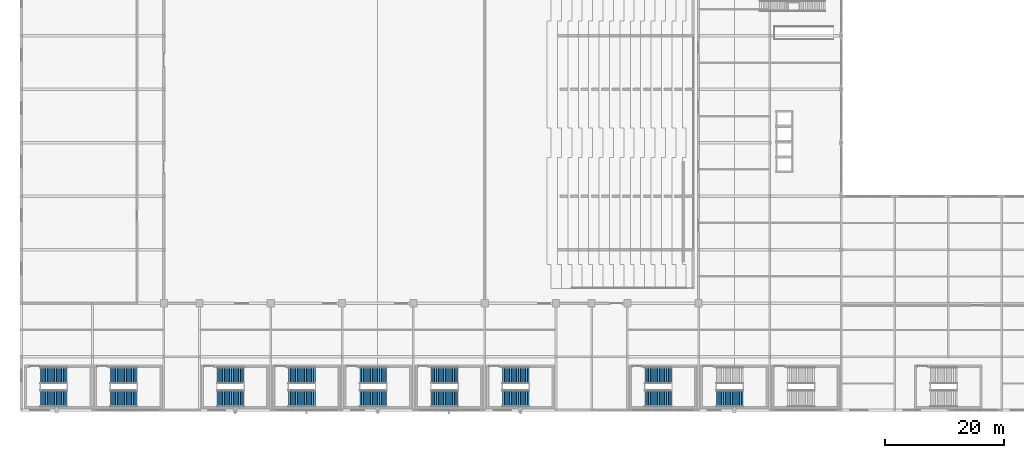
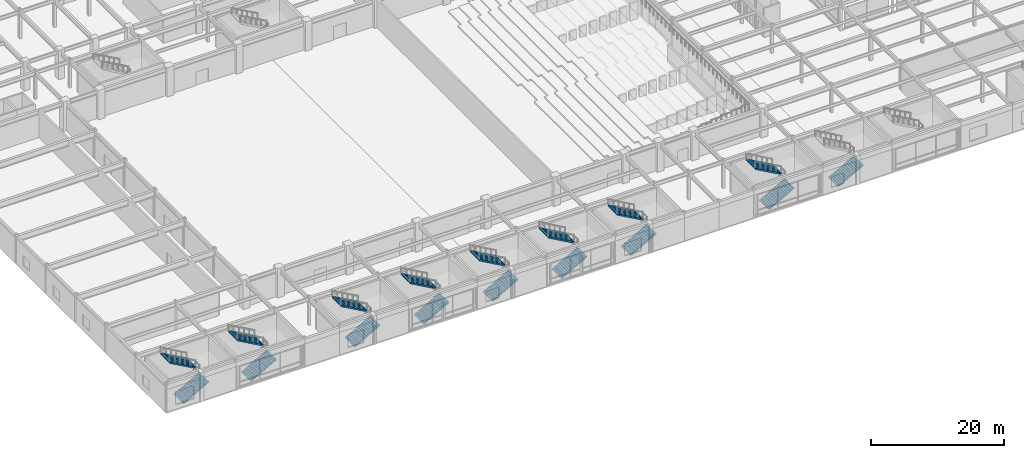
# One storey, part 89 of 100: 17 stair flights, 9 elements without a shape of their own.
"""IFC4 building model written with IfcOpenShell, lengths in metres."""

from ifc_helpers import new_model, si_unit, direction, frame, origin, place, context, subcontext, project, spatial, polyline, outline, extrude, material, type_object, element, aggregate, save


model = new_model("IFC4")

# Units and contexts
model_context = context("Model", 3, precision=1e-05, world=origin(), true_north=direction((0.0, 1.0)))
body_context = subcontext(model_context, "Body", "Model", "MODEL_VIEW")
ifc_project = project(units=[si_unit("LENGTHUNIT", "METRE"), si_unit("AREAUNIT", "SQUARE_METRE"), si_unit("VOLUMEUNIT", "CUBIC_METRE"), si_unit("PLANEANGLEUNIT", "RADIAN"), si_unit("MASSUNIT", "GRAM", prefix="KILO")], contexts=[model_context])

# Site, building, storey
site_placement = place(None, origin())
site = spatial("IfcSite", under=ifc_project, at=site_placement, CompositionType="ELEMENT")
building_placement = place(site_placement, origin())
building = spatial("IfcBuilding", under=site, at=building_placement, Name="Kaldorvane Square Convention Centre", CompositionType="ELEMENT")
storey_placement = place(building_placement, frame((0.0, 0.0, 18.0)))
storey = spatial("IfcBuildingStorey", under=building, at=storey_placement, Name="L03", CompositionType="ELEMENT", Elevation=18.0)

# Stair, stair flights
ifc_material = material(Name="Concrete f'c = 42 MPa (Normalweight)", Category="concrete")
stair_type = type_object("IfcStairType", Name="ST-DL-2800-5400-D6710", PredefinedType="HALF_TURN_STAIR", material=ifc_material)
stair_1_placement = place(storey_placement, origin())
stair_1 = element("IfcStair", 1, at=stair_1_placement, inside=storey, type_object=stair_type, Name="Convention Exit Stair C1 (L03)", PredefinedType="HALF_TURN_STAIR")
stair_flight_type = type_object("IfcStairFlightType", Name="SF-STR-2800-16R", PredefinedType="STRAIGHT", material=ifc_material)
stair_flight_1_placement = place(storey_placement, frame((3.2100067138671875, 1.9499969482421875, 0.0), z_axis=(0.0, 0.0, 1.0), x_axis=(1.0, 0.0, 0.0)))
stair_flight_1 = element("IfcStairFlight", 2, at=stair_flight_1_placement, type_object=stair_flight_type, Name="Convention Exit Stair C1 Flight 1 (L03)", NumberOfRisers=16, NumberOfTreads=15, PredefinedType="STRAIGHT", RiserHeight=0.16875, TreadLength=0.3, context=body_context, shape_type="SweptSolid", body=[
    extrude(outline(polyline([(0.0, 0.0), (0.0, 0.1687469482421875), (0.3000030517578125, 0.1687469482421875), (0.3000030517578125, 0.337493896484375), (0.600006103515625, 0.337493896484375), (0.600006103515625, 0.506256103515625), (0.899993896484375, 0.506256103515625), (0.899993896484375, 0.6750030517578125), (1.1999969482421875, 0.6750030517578125), (1.1999969482421875, 0.84375), (1.5, 0.84375), (1.5, 1.0124969482421875), (1.8000030517578125, 1.0124969482421875), (1.8000030517578125, 1.181243896484375), (2.100006103515625, 1.181243896484375), (2.100006103515625, 1.350006103515625), (2.399993896484375, 1.350006103515625), (2.399993896484375, 1.5187530517578125), (2.6999969482421875, 1.5187530517578125), (2.6999969482421875, 1.6875), (3.0, 1.6875), (3.0, 1.8562469482421875), (3.3000030517578125, 1.8562469482421875), (3.3000030517578125, 2.024993896484375), (3.600006103515625, 2.024993896484375), (3.600006103515625, 2.193756103515625), (3.899993896484375, 2.193756103515625), (3.899993896484375, 2.3625030517578125), (4.1999969482421875, 2.3625030517578125), (4.1999969482421875, 2.53125), (4.5, 2.53125), (4.5, 2.6999969482421875), (4.5, 2.301788330078125), (0.4079437255859375, 0.0), (0.0, 0.0)])), frame((0.0, 1.399993896484375, 0.0), z_axis=(0.0, -1.0, 0.0), x_axis=(1.0, 0.0, 0.0)), (0.0, 0.0, 1.0), 2.8000030517578125),
])
stair_flight_2_placement = place(storey_placement, frame((7.7100067138671875, 5.8600006103515625, 2.6999969482421875), z_axis=(0.0, 0.0, 1.0), x_axis=(-1.0, 0.0, 0.0)))
stair_flight_2 = element("IfcStairFlight", 3, at=stair_flight_2_placement, type_object=stair_flight_type, Name="Convention Exit Stair C1 Flight 2 (L03)", NumberOfRisers=16, NumberOfTreads=15, PredefinedType="STRAIGHT", RiserHeight=0.16875, TreadLength=0.3, context=body_context, shape_type="SweptSolid", body=[
    extrude(outline(polyline([(0.0, 0.0), (0.0, 0.1687469482421875), (0.3000030517578125, 0.1687469482421875), (0.3000030517578125, 0.337493896484375), (0.600006103515625, 0.337493896484375), (0.600006103515625, 0.506256103515625), (0.899993896484375, 0.506256103515625), (0.899993896484375, 0.6750030517578125), (1.1999969482421875, 0.6750030517578125), (1.1999969482421875, 0.84375), (1.5, 0.84375), (1.5, 1.0124969482421875), (1.8000030517578125, 1.0124969482421875), (1.8000030517578125, 1.181243896484375), (2.100006103515625, 1.181243896484375), (2.100006103515625, 1.350006103515625), (2.399993896484375, 1.350006103515625), (2.399993896484375, 1.5187530517578125), (2.6999969482421875, 1.5187530517578125), (2.6999969482421875, 1.6875), (3.0, 1.6875), (3.0, 1.8562469482421875), (3.3000030517578125, 1.8562469482421875), (3.3000030517578125, 2.024993896484375), (3.600006103515625, 2.024993896484375), (3.600006103515625, 2.193756103515625), (3.899993896484375, 2.193756103515625), (3.899993896484375, 2.3625030517578125), (4.1999969482421875, 2.3625030517578125), (4.1999969482421875, 2.53125), (4.5, 2.53125), (4.5, 2.6999969482421875), (4.5, 2.301788330078125), (0.4079437255859375, 0.0), (0.0, 0.0)])), frame((0.0, 1.399993896484375, 0.0), z_axis=(0.0, -1.0, 0.0), x_axis=(1.0, 0.0, 0.0)), (0.0, 0.0, 1.0), 2.8000030517578125),
])
aggregate(stair_1, [stair_flight_1, stair_flight_2])

stair_2_placement = place(storey_placement, origin())
stair_2 = element("IfcStair", 4, at=stair_2_placement, inside=storey, type_object=stair_type, Name="Convention Exit Stair C2 (L03)", PredefinedType="HALF_TURN_STAIR")
stair_flight_3_placement = place(storey_placement, frame((14.990005493164062, 1.9499969482421875, 0.0), z_axis=(0.0, 0.0, 1.0), x_axis=(1.0, 0.0, 0.0)))
stair_flight_3 = element("IfcStairFlight", 5, at=stair_flight_3_placement, type_object=stair_flight_type, Name="Convention Exit Stair C2 Flight 1 (L03)", NumberOfRisers=16, NumberOfTreads=15, PredefinedType="STRAIGHT", RiserHeight=0.16875, TreadLength=0.3, context=body_context, shape_type="SweptSolid", body=[
    extrude(outline(polyline([(0.0, 0.0), (0.0, 0.1687469482421875), (0.3000030517578125, 0.1687469482421875), (0.3000030517578125, 0.337493896484375), (0.600006103515625, 0.337493896484375), (0.600006103515625, 0.506256103515625), (0.899993896484375, 0.506256103515625), (0.899993896484375, 0.6750030517578125), (1.1999969482421875, 0.6750030517578125), (1.1999969482421875, 0.84375), (1.5, 0.84375), (1.5, 1.0124969482421875), (1.8000030517578125, 1.0124969482421875), (1.8000030517578125, 1.181243896484375), (2.100006103515625, 1.181243896484375), (2.100006103515625, 1.350006103515625), (2.399993896484375, 1.350006103515625), (2.399993896484375, 1.5187530517578125), (2.6999969482421875, 1.5187530517578125), (2.6999969482421875, 1.6875), (3.0, 1.6875), (3.0, 1.8562469482421875), (3.3000030517578125, 1.8562469482421875), (3.3000030517578125, 2.024993896484375), (3.600006103515625, 2.024993896484375), (3.600006103515625, 2.193756103515625), (3.899993896484375, 2.193756103515625), (3.899993896484375, 2.3625030517578125), (4.1999969482421875, 2.3625030517578125), (4.1999969482421875, 2.53125), (4.5, 2.53125), (4.5, 2.6999969482421875), (4.5, 2.301788330078125), (0.4079437255859375, 0.0), (0.0, 0.0)])), frame((0.0, 1.399993896484375, 0.0), z_axis=(0.0, -1.0, 0.0), x_axis=(1.0, 0.0, 0.0)), (0.0, 0.0, 1.0), 2.8000030517578125),
])
stair_flight_4_placement = place(storey_placement, frame((19.490005493164062, 5.8600006103515625, 2.6999969482421875), z_axis=(0.0, 0.0, 1.0), x_axis=(-1.0, 0.0, 0.0)))
stair_flight_4 = element("IfcStairFlight", 6, at=stair_flight_4_placement, type_object=stair_flight_type, Name="Convention Exit Stair C2 Flight 2 (L03)", NumberOfRisers=16, NumberOfTreads=15, PredefinedType="STRAIGHT", RiserHeight=0.16875, TreadLength=0.3, context=body_context, shape_type="SweptSolid", body=[
    extrude(outline(polyline([(0.0, 0.0), (0.0, 0.1687469482421875), (0.3000030517578125, 0.1687469482421875), (0.3000030517578125, 0.337493896484375), (0.600006103515625, 0.337493896484375), (0.600006103515625, 0.506256103515625), (0.899993896484375, 0.506256103515625), (0.899993896484375, 0.6750030517578125), (1.1999969482421875, 0.6750030517578125), (1.1999969482421875, 0.84375), (1.5, 0.84375), (1.5, 1.0124969482421875), (1.8000030517578125, 1.0124969482421875), (1.8000030517578125, 1.181243896484375), (2.100006103515625, 1.181243896484375), (2.100006103515625, 1.350006103515625), (2.399993896484375, 1.350006103515625), (2.399993896484375, 1.5187530517578125), (2.6999969482421875, 1.5187530517578125), (2.6999969482421875, 1.6875), (3.0, 1.6875), (3.0, 1.8562469482421875), (3.3000030517578125, 1.8562469482421875), (3.3000030517578125, 2.024993896484375), (3.600006103515625, 2.024993896484375), (3.600006103515625, 2.193756103515625), (3.899993896484375, 2.193756103515625), (3.899993896484375, 2.3625030517578125), (4.1999969482421875, 2.3625030517578125), (4.1999969482421875, 2.53125), (4.5, 2.53125), (4.5, 2.6999969482421875), (4.5, 2.301788330078125), (0.4079437255859375, 0.0), (0.0, 0.0)])), frame((0.0, 1.399993896484375, 0.0), z_axis=(0.0, -1.0, 0.0), x_axis=(1.0, 0.0, 0.0)), (0.0, 0.0, 1.0), 2.8000030517578125),
])
aggregate(stair_2, [stair_flight_3, stair_flight_4])

stair_3_placement = place(storey_placement, origin())
stair_3 = element("IfcStair", 7, at=stair_3_placement, inside=storey, type_object=stair_type, Name="Convention Exit Stair C3 (L03)", PredefinedType="HALF_TURN_STAIR")
stair_flight_5_placement = place(storey_placement, frame((32.99000549316406, 1.9499969482421875, 0.0), z_axis=(0.0, 0.0, 1.0), x_axis=(1.0, 0.0, 0.0)))
stair_flight_5 = element("IfcStairFlight", 8, at=stair_flight_5_placement, type_object=stair_flight_type, Name="Convention Exit Stair C3 Flight 1 (L03)", NumberOfRisers=16, NumberOfTreads=15, PredefinedType="STRAIGHT", RiserHeight=0.16875, TreadLength=0.3, context=body_context, shape_type="SweptSolid", body=[
    extrude(outline(polyline([(0.0, 0.0), (0.0, 0.1687469482421875), (0.3000030517578125, 0.1687469482421875), (0.3000030517578125, 0.337493896484375), (0.600006103515625, 0.337493896484375), (0.600006103515625, 0.506256103515625), (0.899993896484375, 0.506256103515625), (0.899993896484375, 0.6750030517578125), (1.1999969482421875, 0.6750030517578125), (1.1999969482421875, 0.84375), (1.5, 0.84375), (1.5, 1.0124969482421875), (1.8000030517578125, 1.0124969482421875), (1.8000030517578125, 1.181243896484375), (2.100006103515625, 1.181243896484375), (2.100006103515625, 1.350006103515625), (2.399993896484375, 1.350006103515625), (2.399993896484375, 1.5187530517578125), (2.6999969482421875, 1.5187530517578125), (2.6999969482421875, 1.6875), (3.0, 1.6875), (3.0, 1.8562469482421875), (3.3000030517578125, 1.8562469482421875), (3.3000030517578125, 2.024993896484375), (3.600006103515625, 2.024993896484375), (3.600006103515625, 2.193756103515625), (3.899993896484375, 2.193756103515625), (3.899993896484375, 2.3625030517578125), (4.1999969482421875, 2.3625030517578125), (4.1999969482421875, 2.53125), (4.5, 2.53125), (4.5, 2.6999969482421875), (4.5, 2.301788330078125), (0.4079437255859375, 0.0), (0.0, 0.0)])), frame((0.0, 1.399993896484375, 0.0), z_axis=(0.0, -1.0, 0.0), x_axis=(1.0, 0.0, 0.0)), (0.0, 0.0, 1.0), 2.8000030517578125),
])
stair_flight_6_placement = place(storey_placement, frame((37.49000549316406, 5.8600006103515625, 2.6999969482421875), z_axis=(0.0, 0.0, 1.0), x_axis=(-1.0, 0.0, 0.0)))
stair_flight_6 = element("IfcStairFlight", 9, at=stair_flight_6_placement, type_object=stair_flight_type, Name="Convention Exit Stair C3 Flight 2 (L03)", NumberOfRisers=16, NumberOfTreads=15, PredefinedType="STRAIGHT", RiserHeight=0.16875, TreadLength=0.3, context=body_context, shape_type="SweptSolid", body=[
    extrude(outline(polyline([(0.0, 0.0), (0.0, 0.1687469482421875), (0.3000030517578125, 0.1687469482421875), (0.3000030517578125, 0.337493896484375), (0.600006103515625, 0.337493896484375), (0.600006103515625, 0.506256103515625), (0.899993896484375, 0.506256103515625), (0.899993896484375, 0.6750030517578125), (1.1999969482421875, 0.6750030517578125), (1.1999969482421875, 0.84375), (1.5, 0.84375), (1.5, 1.0124969482421875), (1.8000030517578125, 1.0124969482421875), (1.8000030517578125, 1.181243896484375), (2.100006103515625, 1.181243896484375), (2.100006103515625, 1.350006103515625), (2.399993896484375, 1.350006103515625), (2.399993896484375, 1.5187530517578125), (2.6999969482421875, 1.5187530517578125), (2.6999969482421875, 1.6875), (3.0, 1.6875), (3.0, 1.8562469482421875), (3.3000030517578125, 1.8562469482421875), (3.3000030517578125, 2.024993896484375), (3.600006103515625, 2.024993896484375), (3.600006103515625, 2.193756103515625), (3.899993896484375, 2.193756103515625), (3.899993896484375, 2.3625030517578125), (4.1999969482421875, 2.3625030517578125), (4.1999969482421875, 2.53125), (4.5, 2.53125), (4.5, 2.6999969482421875), (4.5, 2.301788330078125), (0.4079437255859375, 0.0), (0.0, 0.0)])), frame((0.0, 1.399993896484375, 0.0), z_axis=(0.0, -1.0, 0.0), x_axis=(1.0, 0.0, 0.0)), (0.0, 0.0, 1.0), 2.8000030517578125),
])
aggregate(stair_3, [stair_flight_5, stair_flight_6])

stair_4_placement = place(storey_placement, origin())
stair_4 = element("IfcStair", 10, at=stair_4_placement, inside=storey, type_object=stair_type, Name="Convention Exit Stair C4 (L03)", PredefinedType="HALF_TURN_STAIR")
stair_flight_7_placement = place(storey_placement, frame((44.99000549316406, 1.9499969482421875, 0.0), z_axis=(0.0, 0.0, 1.0), x_axis=(1.0, 0.0, 0.0)))
stair_flight_7 = element("IfcStairFlight", 11, at=stair_flight_7_placement, type_object=stair_flight_type, Name="Convention Exit Stair C4 Flight 1 (L03)", NumberOfRisers=16, NumberOfTreads=15, PredefinedType="STRAIGHT", RiserHeight=0.16875, TreadLength=0.3, context=body_context, shape_type="SweptSolid", body=[
    extrude(outline(polyline([(0.0, 0.0), (0.0, 0.1687469482421875), (0.3000030517578125, 0.1687469482421875), (0.3000030517578125, 0.337493896484375), (0.600006103515625, 0.337493896484375), (0.600006103515625, 0.506256103515625), (0.899993896484375, 0.506256103515625), (0.899993896484375, 0.6750030517578125), (1.1999969482421875, 0.6750030517578125), (1.1999969482421875, 0.84375), (1.5, 0.84375), (1.5, 1.0124969482421875), (1.8000030517578125, 1.0124969482421875), (1.8000030517578125, 1.181243896484375), (2.100006103515625, 1.181243896484375), (2.100006103515625, 1.350006103515625), (2.399993896484375, 1.350006103515625), (2.399993896484375, 1.5187530517578125), (2.6999969482421875, 1.5187530517578125), (2.6999969482421875, 1.6875), (3.0, 1.6875), (3.0, 1.8562469482421875), (3.3000030517578125, 1.8562469482421875), (3.3000030517578125, 2.024993896484375), (3.600006103515625, 2.024993896484375), (3.600006103515625, 2.193756103515625), (3.899993896484375, 2.193756103515625), (3.899993896484375, 2.3625030517578125), (4.1999969482421875, 2.3625030517578125), (4.1999969482421875, 2.53125), (4.5, 2.53125), (4.5, 2.6999969482421875), (4.5, 2.301788330078125), (0.4079437255859375, 0.0), (0.0, 0.0)])), frame((0.0, 1.399993896484375, 0.0), z_axis=(0.0, -1.0, 0.0), x_axis=(1.0, 0.0, 0.0)), (0.0, 0.0, 1.0), 2.8000030517578125),
])
stair_flight_8_placement = place(storey_placement, frame((49.49000549316406, 5.8600006103515625, 2.6999969482421875), z_axis=(0.0, 0.0, 1.0), x_axis=(-1.0, 0.0, 0.0)))
stair_flight_8 = element("IfcStairFlight", 12, at=stair_flight_8_placement, type_object=stair_flight_type, Name="Convention Exit Stair C4 Flight 2 (L03)", NumberOfRisers=16, NumberOfTreads=15, PredefinedType="STRAIGHT", RiserHeight=0.16875, TreadLength=0.3, context=body_context, shape_type="SweptSolid", body=[
    extrude(outline(polyline([(0.0, 0.0), (0.0, 0.1687469482421875), (0.3000030517578125, 0.1687469482421875), (0.3000030517578125, 0.337493896484375), (0.600006103515625, 0.337493896484375), (0.600006103515625, 0.506256103515625), (0.899993896484375, 0.506256103515625), (0.899993896484375, 0.6750030517578125), (1.1999969482421875, 0.6750030517578125), (1.1999969482421875, 0.84375), (1.5, 0.84375), (1.5, 1.0124969482421875), (1.8000030517578125, 1.0124969482421875), (1.8000030517578125, 1.181243896484375), (2.100006103515625, 1.181243896484375), (2.100006103515625, 1.350006103515625), (2.399993896484375, 1.350006103515625), (2.399993896484375, 1.5187530517578125), (2.6999969482421875, 1.5187530517578125), (2.6999969482421875, 1.6875), (3.0, 1.6875), (3.0, 1.8562469482421875), (3.3000030517578125, 1.8562469482421875), (3.3000030517578125, 2.024993896484375), (3.600006103515625, 2.024993896484375), (3.600006103515625, 2.193756103515625), (3.899993896484375, 2.193756103515625), (3.899993896484375, 2.3625030517578125), (4.1999969482421875, 2.3625030517578125), (4.1999969482421875, 2.53125), (4.5, 2.53125), (4.5, 2.6999969482421875), (4.5, 2.301788330078125), (0.4079437255859375, 0.0), (0.0, 0.0)])), frame((0.0, 1.399993896484375, 0.0), z_axis=(0.0, -1.0, 0.0), x_axis=(1.0, 0.0, 0.0)), (0.0, 0.0, 1.0), 2.8000030517578125),
])
aggregate(stair_4, [stair_flight_7, stair_flight_8])

stair_5_placement = place(storey_placement, origin())
stair_5 = element("IfcStair", 13, at=stair_5_placement, inside=storey, type_object=stair_type, Name="Convention Exit Stair C5 (L03)", PredefinedType="HALF_TURN_STAIR")
stair_flight_9_placement = place(storey_placement, frame((56.99000549316406, 1.9499969482421875, 0.0), z_axis=(0.0, 0.0, 1.0), x_axis=(1.0, 0.0, 0.0)))
stair_flight_9 = element("IfcStairFlight", 14, at=stair_flight_9_placement, type_object=stair_flight_type, Name="Convention Exit Stair C5 Flight 1 (L03)", NumberOfRisers=16, NumberOfTreads=15, PredefinedType="STRAIGHT", RiserHeight=0.16875, TreadLength=0.3, context=body_context, shape_type="SweptSolid", body=[
    extrude(outline(polyline([(0.0, 0.0), (0.0, 0.1687469482421875), (0.3000030517578125, 0.1687469482421875), (0.3000030517578125, 0.337493896484375), (0.600006103515625, 0.337493896484375), (0.600006103515625, 0.506256103515625), (0.899993896484375, 0.506256103515625), (0.899993896484375, 0.6750030517578125), (1.1999969482421875, 0.6750030517578125), (1.1999969482421875, 0.84375), (1.5, 0.84375), (1.5, 1.0124969482421875), (1.8000030517578125, 1.0124969482421875), (1.8000030517578125, 1.181243896484375), (2.100006103515625, 1.181243896484375), (2.100006103515625, 1.350006103515625), (2.399993896484375, 1.350006103515625), (2.399993896484375, 1.5187530517578125), (2.6999969482421875, 1.5187530517578125), (2.6999969482421875, 1.6875), (3.0, 1.6875), (3.0, 1.8562469482421875), (3.3000030517578125, 1.8562469482421875), (3.3000030517578125, 2.024993896484375), (3.600006103515625, 2.024993896484375), (3.600006103515625, 2.193756103515625), (3.899993896484375, 2.193756103515625), (3.899993896484375, 2.3625030517578125), (4.1999969482421875, 2.3625030517578125), (4.1999969482421875, 2.53125), (4.5, 2.53125), (4.5, 2.6999969482421875), (4.5, 2.301788330078125), (0.4079437255859375, 0.0), (0.0, 0.0)])), frame((0.0, 1.399993896484375, 0.0), z_axis=(0.0, -1.0, 0.0), x_axis=(1.0, 0.0, 0.0)), (0.0, 0.0, 1.0), 2.8000030517578125),
])
stair_flight_10_placement = place(storey_placement, frame((61.49000549316406, 5.8600006103515625, 2.6999969482421875), z_axis=(0.0, 0.0, 1.0), x_axis=(-1.0, 0.0, 0.0)))
stair_flight_10 = element("IfcStairFlight", 15, at=stair_flight_10_placement, type_object=stair_flight_type, Name="Convention Exit Stair C5 Flight 2 (L03)", NumberOfRisers=16, NumberOfTreads=15, PredefinedType="STRAIGHT", RiserHeight=0.16875, TreadLength=0.3, context=body_context, shape_type="SweptSolid", body=[
    extrude(outline(polyline([(0.0, 0.0), (0.0, 0.1687469482421875), (0.3000030517578125, 0.1687469482421875), (0.3000030517578125, 0.337493896484375), (0.600006103515625, 0.337493896484375), (0.600006103515625, 0.506256103515625), (0.899993896484375, 0.506256103515625), (0.899993896484375, 0.6750030517578125), (1.1999969482421875, 0.6750030517578125), (1.1999969482421875, 0.84375), (1.5, 0.84375), (1.5, 1.0124969482421875), (1.8000030517578125, 1.0124969482421875), (1.8000030517578125, 1.181243896484375), (2.100006103515625, 1.181243896484375), (2.100006103515625, 1.350006103515625), (2.399993896484375, 1.350006103515625), (2.399993896484375, 1.5187530517578125), (2.6999969482421875, 1.5187530517578125), (2.6999969482421875, 1.6875), (3.0, 1.6875), (3.0, 1.8562469482421875), (3.3000030517578125, 1.8562469482421875), (3.3000030517578125, 2.024993896484375), (3.600006103515625, 2.024993896484375), (3.600006103515625, 2.193756103515625), (3.899993896484375, 2.193756103515625), (3.899993896484375, 2.3625030517578125), (4.1999969482421875, 2.3625030517578125), (4.1999969482421875, 2.53125), (4.5, 2.53125), (4.5, 2.6999969482421875), (4.5, 2.301788330078125), (0.4079437255859375, 0.0), (0.0, 0.0)])), frame((0.0, 1.399993896484375, 0.0), z_axis=(0.0, -1.0, 0.0), x_axis=(1.0, 0.0, 0.0)), (0.0, 0.0, 1.0), 2.8000030517578125),
])
aggregate(stair_5, [stair_flight_9, stair_flight_10])

stair_6_placement = place(storey_placement, origin())
stair_6 = element("IfcStair", 16, at=stair_6_placement, inside=storey, type_object=stair_type, Name="Convention Exit Stair C6 (L03)", PredefinedType="HALF_TURN_STAIR")
stair_flight_11_placement = place(storey_placement, frame((68.99000549316406, 1.9499969482421875, 0.0), z_axis=(0.0, 0.0, 1.0), x_axis=(1.0, 0.0, 0.0)))
stair_flight_11 = element("IfcStairFlight", 17, at=stair_flight_11_placement, type_object=stair_flight_type, Name="Convention Exit Stair C6 Flight 1 (L03)", NumberOfRisers=16, NumberOfTreads=15, PredefinedType="STRAIGHT", RiserHeight=0.16875, TreadLength=0.3, context=body_context, shape_type="SweptSolid", body=[
    extrude(outline(polyline([(0.0, 0.0), (0.0, 0.1687469482421875), (0.3000030517578125, 0.1687469482421875), (0.3000030517578125, 0.337493896484375), (0.600006103515625, 0.337493896484375), (0.600006103515625, 0.506256103515625), (0.899993896484375, 0.506256103515625), (0.899993896484375, 0.6750030517578125), (1.1999969482421875, 0.6750030517578125), (1.1999969482421875, 0.84375), (1.5, 0.84375), (1.5, 1.0124969482421875), (1.8000030517578125, 1.0124969482421875), (1.8000030517578125, 1.181243896484375), (2.100006103515625, 1.181243896484375), (2.100006103515625, 1.350006103515625), (2.399993896484375, 1.350006103515625), (2.399993896484375, 1.5187530517578125), (2.6999969482421875, 1.5187530517578125), (2.6999969482421875, 1.6875), (3.0, 1.6875), (3.0, 1.8562469482421875), (3.3000030517578125, 1.8562469482421875), (3.3000030517578125, 2.024993896484375), (3.600006103515625, 2.024993896484375), (3.600006103515625, 2.193756103515625), (3.899993896484375, 2.193756103515625), (3.899993896484375, 2.3625030517578125), (4.1999969482421875, 2.3625030517578125), (4.1999969482421875, 2.53125), (4.5, 2.53125), (4.5, 2.6999969482421875), (4.5, 2.301788330078125), (0.4079437255859375, 0.0), (0.0, 0.0)])), frame((0.0, 1.399993896484375, 0.0), z_axis=(0.0, -1.0, 0.0), x_axis=(1.0, 0.0, 0.0)), (0.0, 0.0, 1.0), 2.8000030517578125),
])
stair_flight_12_placement = place(storey_placement, frame((73.49000549316406, 5.8600006103515625, 2.6999969482421875), z_axis=(0.0, 0.0, 1.0), x_axis=(-1.0, 0.0, 0.0)))
stair_flight_12 = element("IfcStairFlight", 18, at=stair_flight_12_placement, type_object=stair_flight_type, Name="Convention Exit Stair C6 Flight 2 (L03)", NumberOfRisers=16, NumberOfTreads=15, PredefinedType="STRAIGHT", RiserHeight=0.16875, TreadLength=0.3, context=body_context, shape_type="SweptSolid", body=[
    extrude(outline(polyline([(0.0, 0.0), (0.0, 0.1687469482421875), (0.3000030517578125, 0.1687469482421875), (0.3000030517578125, 0.337493896484375), (0.600006103515625, 0.337493896484375), (0.600006103515625, 0.506256103515625), (0.899993896484375, 0.506256103515625), (0.899993896484375, 0.6750030517578125), (1.1999969482421875, 0.6750030517578125), (1.1999969482421875, 0.84375), (1.5, 0.84375), (1.5, 1.0124969482421875), (1.8000030517578125, 1.0124969482421875), (1.8000030517578125, 1.181243896484375), (2.100006103515625, 1.181243896484375), (2.100006103515625, 1.350006103515625), (2.399993896484375, 1.350006103515625), (2.399993896484375, 1.5187530517578125), (2.6999969482421875, 1.5187530517578125), (2.6999969482421875, 1.6875), (3.0, 1.6875), (3.0, 1.8562469482421875), (3.3000030517578125, 1.8562469482421875), (3.3000030517578125, 2.024993896484375), (3.600006103515625, 2.024993896484375), (3.600006103515625, 2.193756103515625), (3.899993896484375, 2.193756103515625), (3.899993896484375, 2.3625030517578125), (4.1999969482421875, 2.3625030517578125), (4.1999969482421875, 2.53125), (4.5, 2.53125), (4.5, 2.6999969482421875), (4.5, 2.301788330078125), (0.4079437255859375, 0.0), (0.0, 0.0)])), frame((0.0, 1.399993896484375, 0.0), z_axis=(0.0, -1.0, 0.0), x_axis=(1.0, 0.0, 0.0)), (0.0, 0.0, 1.0), 2.8000030517578125),
])
aggregate(stair_6, [stair_flight_11, stair_flight_12])

stair_7_placement = place(storey_placement, origin())
stair_7 = element("IfcStair", 19, at=stair_7_placement, inside=storey, type_object=stair_type, Name="Convention Exit Stair C7 (L03)", PredefinedType="HALF_TURN_STAIR")
stair_flight_13_placement = place(storey_placement, frame((80.99000549316406, 1.9499969482421875, 0.0), z_axis=(0.0, 0.0, 1.0), x_axis=(1.0, 0.0, 0.0)))
stair_flight_13 = element("IfcStairFlight", 20, at=stair_flight_13_placement, type_object=stair_flight_type, Name="Convention Exit Stair C7 Flight 1 (L03)", NumberOfRisers=16, NumberOfTreads=15, PredefinedType="STRAIGHT", RiserHeight=0.16875, TreadLength=0.3, context=body_context, shape_type="SweptSolid", body=[
    extrude(outline(polyline([(0.0, 0.0), (0.0, 0.1687469482421875), (0.3000030517578125, 0.1687469482421875), (0.3000030517578125, 0.337493896484375), (0.600006103515625, 0.337493896484375), (0.600006103515625, 0.506256103515625), (0.899993896484375, 0.506256103515625), (0.899993896484375, 0.6750030517578125), (1.1999969482421875, 0.6750030517578125), (1.1999969482421875, 0.84375), (1.5, 0.84375), (1.5, 1.0124969482421875), (1.8000030517578125, 1.0124969482421875), (1.8000030517578125, 1.181243896484375), (2.100006103515625, 1.181243896484375), (2.100006103515625, 1.350006103515625), (2.399993896484375, 1.350006103515625), (2.399993896484375, 1.5187530517578125), (2.6999969482421875, 1.5187530517578125), (2.6999969482421875, 1.6875), (3.0, 1.6875), (3.0, 1.8562469482421875), (3.3000030517578125, 1.8562469482421875), (3.3000030517578125, 2.024993896484375), (3.600006103515625, 2.024993896484375), (3.600006103515625, 2.193756103515625), (3.899993896484375, 2.193756103515625), (3.899993896484375, 2.3625030517578125), (4.1999969482421875, 2.3625030517578125), (4.1999969482421875, 2.53125), (4.5, 2.53125), (4.5, 2.6999969482421875), (4.5, 2.301788330078125), (0.4079437255859375, 0.0), (0.0, 0.0)])), frame((0.0, 1.399993896484375, 0.0), z_axis=(0.0, -1.0, 0.0), x_axis=(1.0, 0.0, 0.0)), (0.0, 0.0, 1.0), 2.8000030517578125),
])
stair_flight_14_placement = place(storey_placement, frame((85.49000549316406, 5.8600006103515625, 2.6999969482421875), z_axis=(0.0, 0.0, 1.0), x_axis=(-1.0, 0.0, 0.0)))
stair_flight_14 = element("IfcStairFlight", 21, at=stair_flight_14_placement, type_object=stair_flight_type, Name="Convention Exit Stair C7 Flight 2 (L03)", NumberOfRisers=16, NumberOfTreads=15, PredefinedType="STRAIGHT", RiserHeight=0.16875, TreadLength=0.3, context=body_context, shape_type="SweptSolid", body=[
    extrude(outline(polyline([(0.0, 0.0), (0.0, 0.1687469482421875), (0.3000030517578125, 0.1687469482421875), (0.3000030517578125, 0.337493896484375), (0.600006103515625, 0.337493896484375), (0.600006103515625, 0.506256103515625), (0.899993896484375, 0.506256103515625), (0.899993896484375, 0.6750030517578125), (1.1999969482421875, 0.6750030517578125), (1.1999969482421875, 0.84375), (1.5, 0.84375), (1.5, 1.0124969482421875), (1.8000030517578125, 1.0124969482421875), (1.8000030517578125, 1.181243896484375), (2.100006103515625, 1.181243896484375), (2.100006103515625, 1.350006103515625), (2.399993896484375, 1.350006103515625), (2.399993896484375, 1.5187530517578125), (2.6999969482421875, 1.5187530517578125), (2.6999969482421875, 1.6875), (3.0, 1.6875), (3.0, 1.8562469482421875), (3.3000030517578125, 1.8562469482421875), (3.3000030517578125, 2.024993896484375), (3.600006103515625, 2.024993896484375), (3.600006103515625, 2.193756103515625), (3.899993896484375, 2.193756103515625), (3.899993896484375, 2.3625030517578125), (4.1999969482421875, 2.3625030517578125), (4.1999969482421875, 2.53125), (4.5, 2.53125), (4.5, 2.6999969482421875), (4.5, 2.301788330078125), (0.4079437255859375, 0.0), (0.0, 0.0)])), frame((0.0, 1.399993896484375, 0.0), z_axis=(0.0, -1.0, 0.0), x_axis=(1.0, 0.0, 0.0)), (0.0, 0.0, 1.0), 2.8000030517578125),
])
aggregate(stair_7, [stair_flight_13, stair_flight_14])

stair_8_placement = place(storey_placement, origin())
stair_8 = element("IfcStair", 22, at=stair_8_placement, inside=storey, type_object=stair_type, Name="Convention Exit Stair C8 (L03)", PredefinedType="HALF_TURN_STAIR")
stair_flight_15_placement = place(storey_placement, frame((104.99000549316406, 1.9499969482421875, 0.0), z_axis=(0.0, 0.0, 1.0), x_axis=(1.0, 0.0, 0.0)))
stair_flight_15 = element("IfcStairFlight", 23, at=stair_flight_15_placement, type_object=stair_flight_type, Name="Convention Exit Stair C8 Flight 1 (L03)", NumberOfRisers=16, NumberOfTreads=15, PredefinedType="STRAIGHT", RiserHeight=0.16875, TreadLength=0.3, context=body_context, shape_type="SweptSolid", body=[
    extrude(outline(polyline([(0.0, 0.0), (0.0, 0.1687469482421875), (0.3000030517578125, 0.1687469482421875), (0.3000030517578125, 0.337493896484375), (0.600006103515625, 0.337493896484375), (0.600006103515625, 0.506256103515625), (0.899993896484375, 0.506256103515625), (0.899993896484375, 0.6750030517578125), (1.1999969482421875, 0.6750030517578125), (1.1999969482421875, 0.84375), (1.5, 0.84375), (1.5, 1.0124969482421875), (1.8000030517578125, 1.0124969482421875), (1.8000030517578125, 1.181243896484375), (2.100006103515625, 1.181243896484375), (2.100006103515625, 1.350006103515625), (2.399993896484375, 1.350006103515625), (2.399993896484375, 1.5187530517578125), (2.6999969482421875, 1.5187530517578125), (2.6999969482421875, 1.6875), (3.0, 1.6875), (3.0, 1.8562469482421875), (3.3000030517578125, 1.8562469482421875), (3.3000030517578125, 2.024993896484375), (3.600006103515625, 2.024993896484375), (3.600006103515625, 2.193756103515625), (3.899993896484375, 2.193756103515625), (3.899993896484375, 2.3625030517578125), (4.1999969482421875, 2.3625030517578125), (4.1999969482421875, 2.53125), (4.5, 2.53125), (4.5, 2.6999969482421875), (4.5, 2.301788330078125), (0.4079437255859375, 0.0), (0.0, 0.0)])), frame((0.0, 1.399993896484375, 0.0), z_axis=(0.0, -1.0, 0.0), x_axis=(1.0, 0.0, 0.0)), (0.0, 0.0, 1.0), 2.8000030517578125),
])
stair_flight_16_placement = place(storey_placement, frame((109.49000549316406, 5.8600006103515625, 2.6999969482421875), z_axis=(0.0, 0.0, 1.0), x_axis=(-1.0, 0.0, 0.0)))
stair_flight_16 = element("IfcStairFlight", 24, at=stair_flight_16_placement, type_object=stair_flight_type, Name="Convention Exit Stair C8 Flight 2 (L03)", NumberOfRisers=16, NumberOfTreads=15, PredefinedType="STRAIGHT", RiserHeight=0.16875, TreadLength=0.3, context=body_context, shape_type="SweptSolid", body=[
    extrude(outline(polyline([(0.0, 0.0), (0.0, 0.1687469482421875), (0.3000030517578125, 0.1687469482421875), (0.3000030517578125, 0.337493896484375), (0.600006103515625, 0.337493896484375), (0.600006103515625, 0.506256103515625), (0.899993896484375, 0.506256103515625), (0.899993896484375, 0.6750030517578125), (1.1999969482421875, 0.6750030517578125), (1.1999969482421875, 0.84375), (1.5, 0.84375), (1.5, 1.0124969482421875), (1.8000030517578125, 1.0124969482421875), (1.8000030517578125, 1.181243896484375), (2.100006103515625, 1.181243896484375), (2.100006103515625, 1.350006103515625), (2.399993896484375, 1.350006103515625), (2.399993896484375, 1.5187530517578125), (2.6999969482421875, 1.5187530517578125), (2.6999969482421875, 1.6875), (3.0, 1.6875), (3.0, 1.8562469482421875), (3.3000030517578125, 1.8562469482421875), (3.3000030517578125, 2.024993896484375), (3.600006103515625, 2.024993896484375), (3.600006103515625, 2.193756103515625), (3.899993896484375, 2.193756103515625), (3.899993896484375, 2.3625030517578125), (4.1999969482421875, 2.3625030517578125), (4.1999969482421875, 2.53125), (4.5, 2.53125), (4.5, 2.6999969482421875), (4.5, 2.301788330078125), (0.4079437255859375, 0.0), (0.0, 0.0)])), frame((0.0, 1.399993896484375, 0.0), z_axis=(0.0, -1.0, 0.0), x_axis=(1.0, 0.0, 0.0)), (0.0, 0.0, 1.0), 2.8000030517578125),
])
aggregate(stair_8, [stair_flight_15, stair_flight_16])

# Stair, stair flight
stair_9_placement = place(storey_placement, origin())
stair_9 = element("IfcStair", 25, at=stair_9_placement, inside=storey, type_object=stair_type, Name="Convention Exit Stair C9 (L03)", PredefinedType="HALF_TURN_STAIR")
stair_flight_17_placement = place(storey_placement, frame((116.99000549316406, 1.9499969482421875, 0.0), z_axis=(0.0, 0.0, 1.0), x_axis=(1.0, 0.0, 0.0)))
stair_flight_17 = element("IfcStairFlight", 26, at=stair_flight_17_placement, type_object=stair_flight_type, Name="Convention Exit Stair C9 Flight 1 (L03)", NumberOfRisers=16, NumberOfTreads=15, PredefinedType="STRAIGHT", RiserHeight=0.16875, TreadLength=0.3, context=body_context, shape_type="SweptSolid", body=[
    extrude(outline(polyline([(0.0, 0.0), (0.0, 0.1687469482421875), (0.3000030517578125, 0.1687469482421875), (0.3000030517578125, 0.337493896484375), (0.600006103515625, 0.337493896484375), (0.600006103515625, 0.506256103515625), (0.899993896484375, 0.506256103515625), (0.899993896484375, 0.6750030517578125), (1.1999969482421875, 0.6750030517578125), (1.1999969482421875, 0.84375), (1.5, 0.84375), (1.5, 1.0124969482421875), (1.8000030517578125, 1.0124969482421875), (1.8000030517578125, 1.181243896484375), (2.100006103515625, 1.181243896484375), (2.100006103515625, 1.350006103515625), (2.399993896484375, 1.350006103515625), (2.399993896484375, 1.5187530517578125), (2.6999969482421875, 1.5187530517578125), (2.6999969482421875, 1.6875), (3.0, 1.6875), (3.0, 1.8562469482421875), (3.3000030517578125, 1.8562469482421875), (3.3000030517578125, 2.024993896484375), (3.600006103515625, 2.024993896484375), (3.600006103515625, 2.193756103515625), (3.899993896484375, 2.193756103515625), (3.899993896484375, 2.3625030517578125), (4.1999969482421875, 2.3625030517578125), (4.1999969482421875, 2.53125), (4.5, 2.53125), (4.5, 2.6999969482421875), (4.5, 2.301788330078125), (0.4079437255859375, 0.0), (0.0, 0.0)])), frame((0.0, 1.399993896484375, 0.0), z_axis=(0.0, -1.0, 0.0), x_axis=(1.0, 0.0, 0.0)), (0.0, 0.0, 1.0), 2.8000030517578125),
])
aggregate(stair_9, [stair_flight_17])

save(model, "model.ifc")
